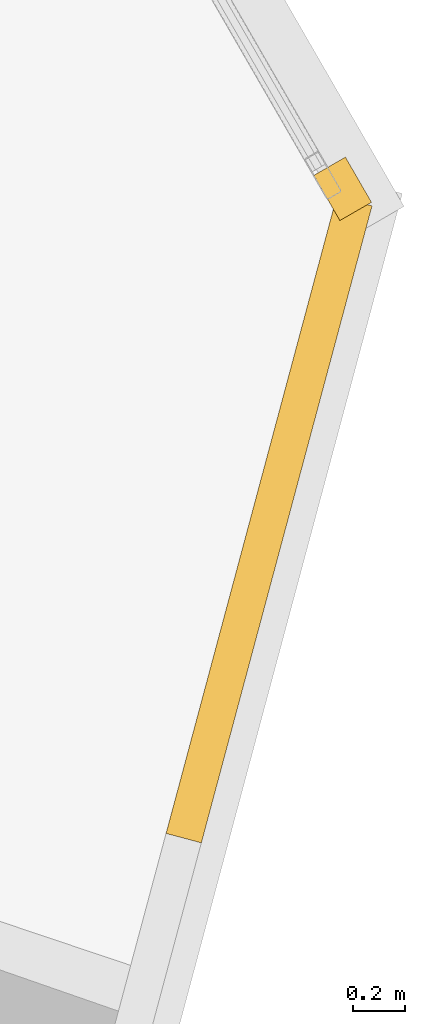
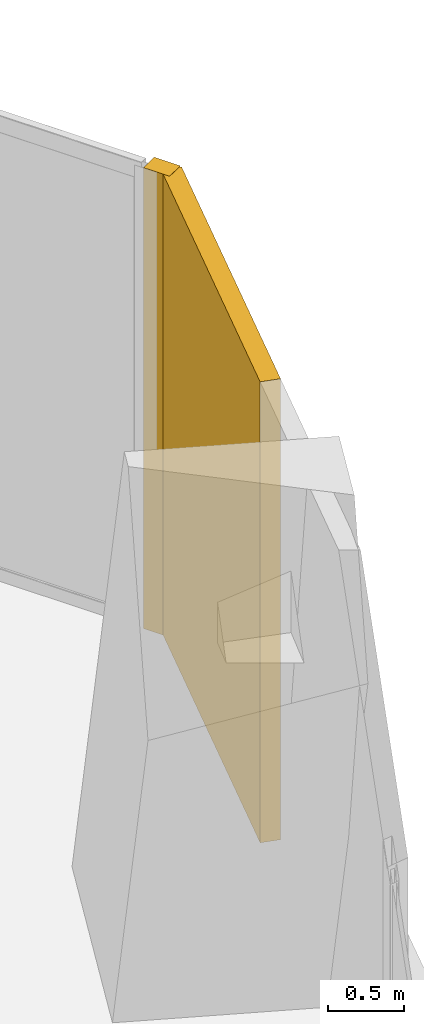
# One storey, part 26 of 26: 2 coverings.
"""IFC4 building model written with IfcOpenShell, lengths in metres."""

from ifc_helpers import new_model, si_unit, direction, frame, origin, origin_2d, place, context, subcontext, project, spatial, rectangle, extrude, source, transform, mapped, material, layer, layer_set, type_object, element, save


model = new_model("IFC4")

# Units and contexts
model_context = context("Model", 3, precision=1e-05, world=origin(), true_north=direction((0.0, 1.0)))
body_context = subcontext(model_context, "Body", "Model", "MODEL_VIEW")
ifc_project = project(units=[si_unit("LENGTHUNIT", "METRE"), si_unit("AREAUNIT", "SQUARE_METRE"), si_unit("VOLUMEUNIT", "CUBIC_METRE"), si_unit("PLANEANGLEUNIT", "RADIAN"), si_unit("MASSUNIT", "GRAM", prefix="KILO")], contexts=[model_context])

# Site, building, storey
site_placement = place(None, origin())
site = spatial("IfcSite", under=ifc_project, at=site_placement, CompositionType="ELEMENT")
building_placement = place(site_placement, origin())
building = spatial("IfcBuilding", under=site, at=building_placement, Name="Torre Montelarca", CompositionType="ELEMENT")
storey_placement = place(building_placement, frame((0.0, 0.0, 104.199951171875)))
storey = spatial("IfcBuildingStorey", under=building, at=storey_placement, Name="L23", CompositionType="ELEMENT", Elevation=104.199951171875)

# Coverings
ifc_material = material(Name="Bush-hammered warm white precast concrete C45/55", Category="concrete")
ifc_layer = layer(ifc_material, 0.139892578125, Name="Bush-hammered warm white precast concrete C45/55", Category="concrete")
ifc_layer_set = layer_set([ifc_layer], Name="Bush-hammered warm white precast concrete C45/55")
covering_type = type_object("IfcCoveringType", Name="COV-TRAY-CLAD", PredefinedType="CLADDING", material=ifc_layer_set)
shared_shape_1 = source(origin(), body_context, "Body", "SweptSolid", [
    extrude(rectangle(XDim=0.199951171875, YDim=0.139892578125, at=origin_2d()), origin(), (0.0, 0.0, 1.0), 3.719970703125),
])
covering_1_placement = place(storey_placement, frame((62.44970703125, 33.1591796875, 0.0), z_axis=(0.0, 0.0, 1.0), x_axis=(-0.500007557478, 0.866021040428, 0.0)))
element("IfcCovering", 1, at=covering_1_placement, inside=storey, type_object=covering_type, Name="L23 Architectural Column Pier Cladding E07-1", PredefinedType="CLADDING", context=body_context, shape_type="MappedRepresentation", body=[
    mapped(shared_shape_1, transform((0.0, 0.0, 0.0), scale=1.0)),
])
shared_shape_2 = source(origin(), body_context, "Body", "SweptSolid", [
    extrude(rectangle(XDim=2.529052734375, YDim=0.139892578125, at=origin_2d()), origin(), (0.0, 0.0, 1.0), 3.719970703125),
])
covering_2_placement = place(storey_placement, frame((62.16748046875, 31.890380859375, 0.0), z_axis=(0.0, 0.0, 1.0), x_axis=(0.258819045103, 0.965925826289, 0.0)))
element("IfcCovering", 2, at=covering_2_placement, inside=storey, type_object=covering_type, Name="L23 Architectural Column Pier Cladding E06-4", PredefinedType="CLADDING", context=body_context, shape_type="MappedRepresentation", body=[
    mapped(shared_shape_2, transform((0.0, 0.0, 0.0), scale=1.0)),
])

save(model, "model.ifc")
